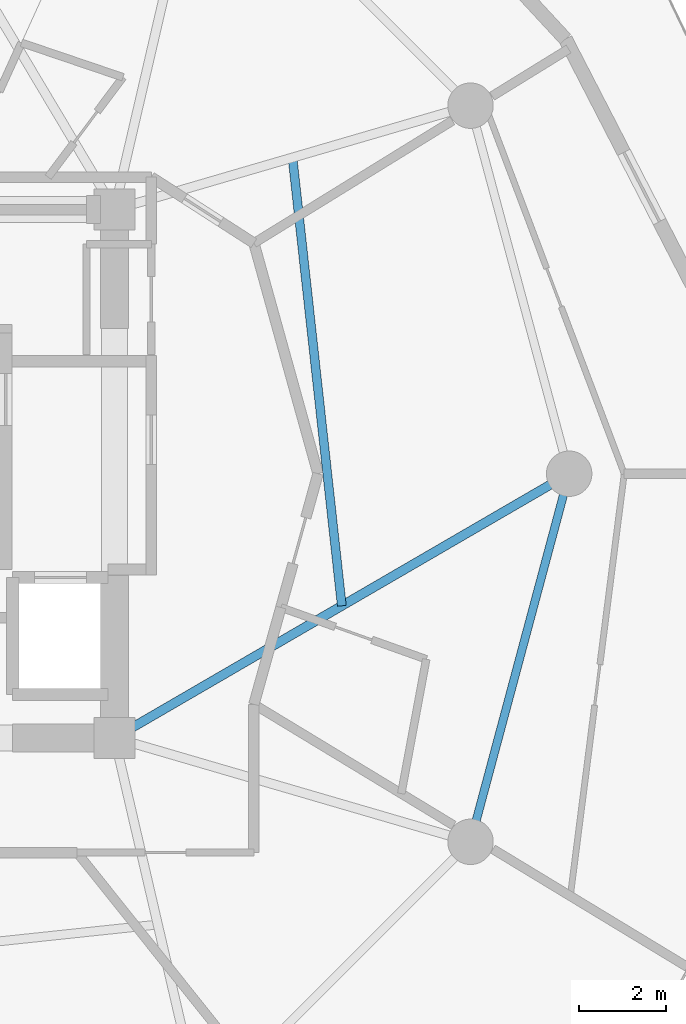
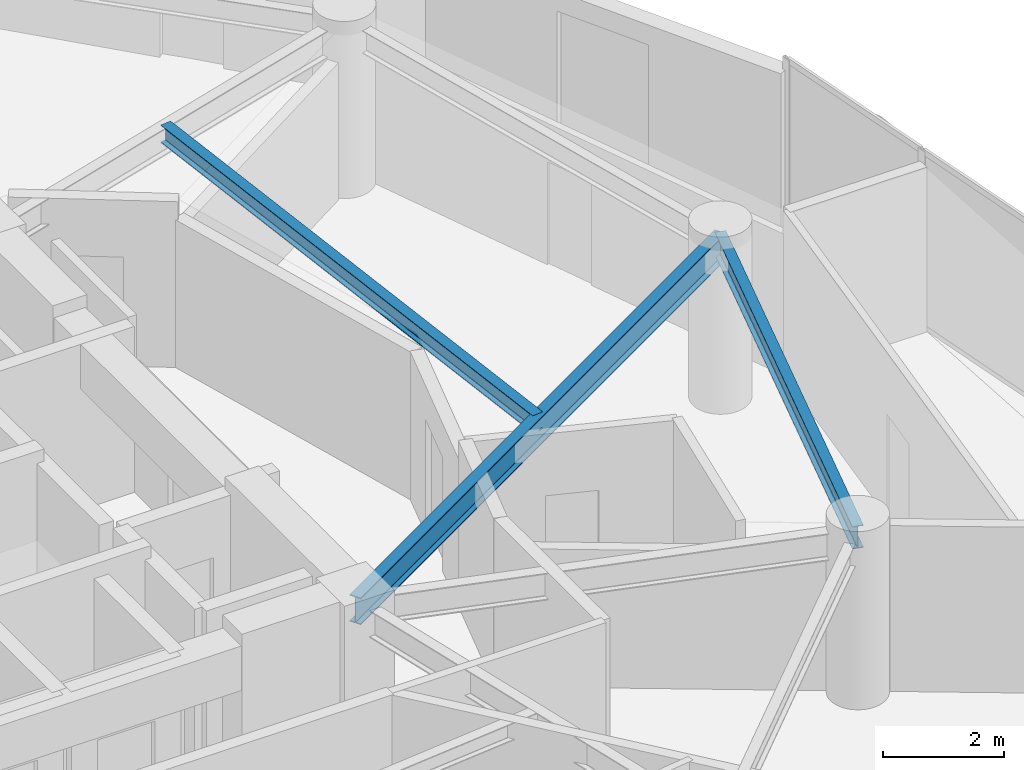
# One storey, part 8 of 21: 3 beams.
"""IFC4 building model written with IfcOpenShell, lengths in metres."""

from ifc_helpers import new_model, si_unit, direction, frame, origin, origin_2d, place, context, subcontext, project, spatial, i_section, extrude, material, material_profile, profile_set, type_object, element, save


model = new_model("IFC4")

# Units and contexts
model_context = context("Model", 3, precision=1e-05, world=origin(), true_north=direction((0.0, 1.0)))
body_context = subcontext(model_context, "Body", "Model", "MODEL_VIEW")
ifc_project = project(units=[si_unit("LENGTHUNIT", "METRE"), si_unit("AREAUNIT", "SQUARE_METRE"), si_unit("VOLUMEUNIT", "CUBIC_METRE"), si_unit("PLANEANGLEUNIT", "RADIAN"), si_unit("MASSUNIT", "GRAM", prefix="KILO")], contexts=[model_context])

# Site, building, storey
site_placement = place(None, origin())
site = spatial("IfcSite", under=ifc_project, at=site_placement, CompositionType="ELEMENT")
building_placement = place(site_placement, origin())
building = spatial("IfcBuilding", under=site, at=building_placement, Name="Solvirekh Grand Hotel", CompositionType="ELEMENT")
storey_placement = place(building_placement, frame((0.0, 0.0, 131.39990234375)))
storey = spatial("IfcBuildingStorey", under=building, at=storey_placement, Name="L33", CompositionType="ELEMENT", Elevation=131.39990234375)

# Beams
ifc_material = material(Name="Steel S355", Category="steel")
ifc_material_profile_1 = material_profile(ifc_material, i_section(OverallWidth=0.2119140625, OverallDepth=0.5439453125, WebThickness=0.011962890625, FlangeThickness=0.01904296875, FilletRadius=0.013916015625, at=origin_2d()), Name="W530X123")
ifc_profile_set_1 = profile_set([ifc_material_profile_1], Name="Steel S355")
beam_type_1 = type_object("IfcBeamType", Name="Beam_Radial_W530H", PredefinedType="BEAM", material=ifc_profile_set_1)
beam_1_placement = place(storey_placement, frame((6.5, -6.10009765625, 3.078125), z_axis=(0.864670076815, 0.50234018181, 0.0), x_axis=(-0.50234018181, 0.864670076815, 0.0)))
element("IfcBeam", 1, at=beam_1_placement, inside=storey, type_object=beam_type_1, Name="L33 radial floor beam R01", PredefinedType="BEAM", context=body_context, shape_type="SweptSolid", body=[
    extrude(i_section(OverallWidth=0.2119140625, OverallDepth=0.5439453125, WebThickness=0.011962890625, FlangeThickness=0.01904296875, FilletRadius=0.013916015625, at=origin_2d()), origin(), (0.0, 0.0, 1.0), 12.143310546875),
])
ifc_material_profile_2 = material_profile(ifc_material, i_section(OverallWidth=0.2041015625, OverallDepth=0.35009765625, WebThickness=0.009033203125, FlangeThickness=0.014892578125, FilletRadius=0.010986328125, at=origin_2d()), Name="W360X72")
ifc_profile_set_2 = profile_set([ifc_material_profile_2], Name="Steel S355")
beam_type_2 = type_object("IfcBeamType", Name="Joist_Floor_W360", PredefinedType="JOIST", material=ifc_profile_set_2)
beam_2_placement = place(storey_placement, frame((11.75, -3.050048828125, 3.175048828125), z_axis=(-0.109378935301, 0.994000125006, 0.0), x_axis=(-0.994000125006, -0.109378935301, 0.0)))
element("IfcBeam", 2, at=beam_2_placement, inside=storey, type_object=beam_type_2, Name="L33 secondary composite floor joist 1", PredefinedType="JOIST", context=body_context, shape_type="SweptSolid", body=[
    extrude(i_section(OverallWidth=0.2041015625, OverallDepth=0.35009765625, WebThickness=0.009033203125, FlangeThickness=0.014892578125, FilletRadius=0.010986328125, at=origin_2d()), origin(), (0.0, 0.0, 1.0), 10.41259765625),
])
ifc_material_profile_3 = material_profile(ifc_material, i_section(OverallWidth=0.18994140625, OverallDepth=0.45703125, WebThickness=0.009033203125, FlangeThickness=0.013916015625, FilletRadius=0.012939453125, at=origin_2d()), Name="W460X74")
ifc_profile_set_3 = profile_set([ifc_material_profile_3], Name="Steel S355")
beam_type_3 = type_object("IfcBeamType", Name="Spandrel_Ring_W460", PredefinedType="SPANDREL", material=ifc_profile_set_3)
beam_3_placement = place(storey_placement, frame((14.721923828125, -8.5, 3.1220703125), z_axis=(0.258872908946, 0.965911391906, 0.0), x_axis=(-0.965911391906, 0.258872908946, 0.0)))
element("IfcBeam", 3, at=beam_3_placement, inside=storey, type_object=beam_type_3, Name="L33 perimeter spandrel beam 12", PredefinedType="SPANDREL", context=body_context, shape_type="SweptSolid", body=[
    extrude(i_section(OverallWidth=0.18994140625, OverallDepth=0.45703125, WebThickness=0.009033203125, FlangeThickness=0.013916015625, FilletRadius=0.012939453125, at=origin_2d()), origin(), (0.0, 0.0, 1.0), 8.800048828125),
])

save(model, "model.ifc")
